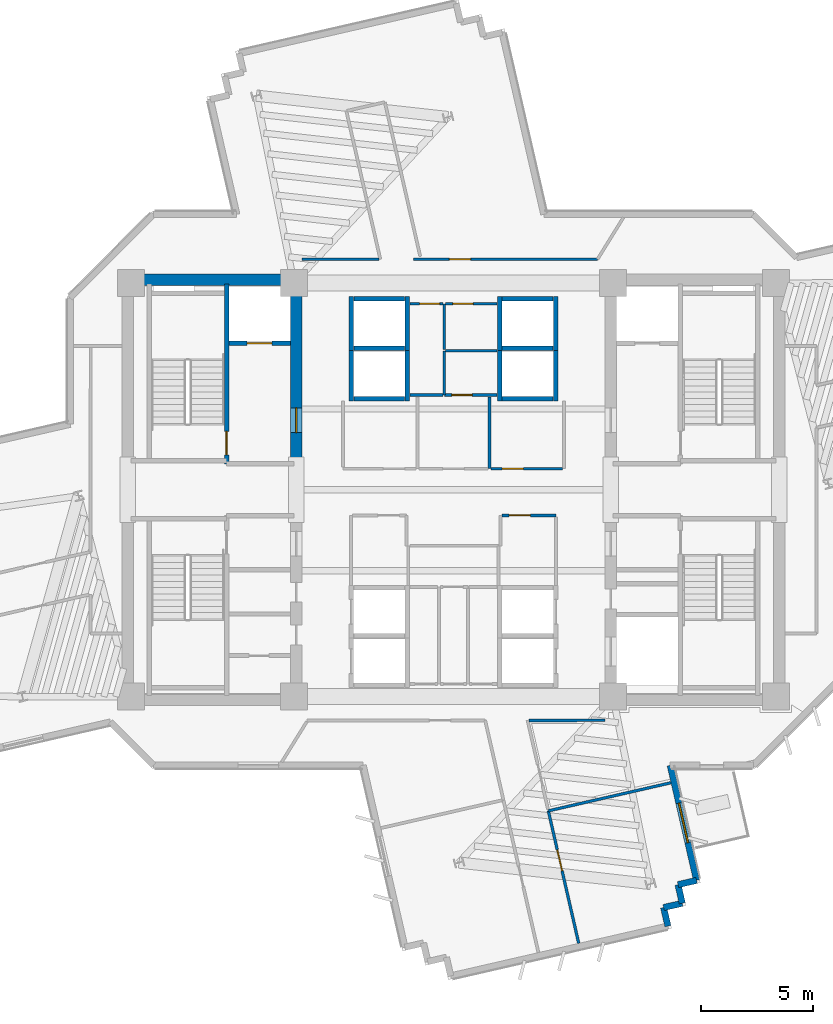
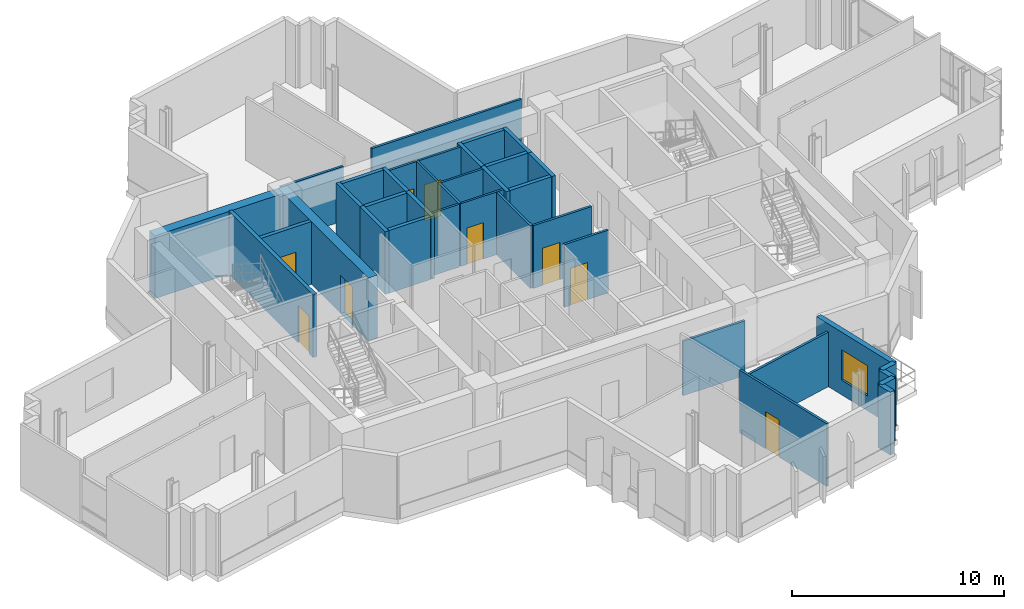
# One storey, part 8 of 13: 38 walls, 10 doors, 1 window, 11 openings.
"""IFC4 building model written with IfcOpenShell, lengths in metres."""

from ifc_helpers import new_model, si_unit, direction, frame, frame_2d, origin, place, context, subcontext, project, spatial, rectangle, extrude, source, transform, mapped, material, layer, layer_set, type_object, element, fill, save


model = new_model("IFC4")

# Units and contexts
model_context = context("Model", 3, precision=1e-05, world=origin(), true_north=direction((0.0, 1.0)))
body_context = subcontext(model_context, "Body", "Model", "MODEL_VIEW")
ifc_project = project(units=[si_unit("LENGTHUNIT", "METRE"), si_unit("AREAUNIT", "SQUARE_METRE"), si_unit("VOLUMEUNIT", "CUBIC_METRE"), si_unit("PLANEANGLEUNIT", "RADIAN"), si_unit("MASSUNIT", "GRAM", prefix="KILO")], contexts=[model_context])

# Site, building, storey
site_placement = place(None, origin())
site = spatial("IfcSite", under=ifc_project, at=site_placement, CompositionType="ELEMENT")
building_placement = place(site_placement, origin())
building = spatial("IfcBuilding", under=site, at=building_placement, Name="Zahravan Cultural Tower", CompositionType="ELEMENT")
storey_placement = place(building_placement, frame((0.0, 0.0, 174.60009765625)))
storey = spatial("IfcBuildingStorey", under=building, at=storey_placement, Name="L40", CompositionType="ELEMENT", Elevation=174.60009765625)

# Wall, opening, door
ifc_material_1 = material(Name="Concrete C60/75", Category="concrete")
ifc_layer_1 = layer(ifc_material_1, 0.5)
ifc_layer_set_1 = layer_set([ifc_layer_1], Name="Concrete C60/75")
wall_type_1 = type_object("IfcWallType", Name="CW-SHEAR-500-C60", PredefinedType="SHEAR", material=ifc_layer_set_1)
wall_1_placement = place(storey_placement, frame((29.0, 28.050048828125, 0.0), z_axis=(0.0, 0.0, 1.0), x_axis=(0.0, 1.0, 0.0)))
wall_1 = element("IfcWall", 1, at=wall_1_placement, inside=storey, type_object=wall_type_1, Name="L40 Core Shear Wall CW-W-EN-L40", PredefinedType="SHEAR", context=body_context, shape_type="SweptSolid", body=[
    extrude(rectangle(XDim=8.550048828125, YDim=0.5, at=frame_2d((4.27490234375, 0.0))), origin(), (0.0, 0.0, 1.0), 3.619873046875),
])
opening_1_placement = place(wall_1_placement, frame((1.5, 0.0, 0.0)))
opening_1 = element("IfcOpeningElement", 2, at=opening_1_placement, cuts=wall_1, Name="Opening D-L40-05", PredefinedType="OPENING", context=body_context, shape_type="SweptSolid", body=[
    extrude(rectangle(XDim=1.10009765625, YDim=2.199951171875, at=frame_2d((0.550048828125, 1.10009765625))), frame((0.0, 0.260009765625, 0.0), z_axis=(0.0, -1.0, 0.0), x_axis=(1.0, 0.0, 0.0)), (0.0, 0.0, 1.0), 0.52001953125),
])
ifc_material_2 = material(Name="Steel ASTM A572 Grade 50", Category="steel")
door_type_1 = type_object("IfcDoorType", Name="DR-LOBBY-1100", OperationType="NOTDEFINED", PredefinedType="DOOR", material=ifc_material_2)
shared_shape_1 = source(origin(), body_context, "Body", "SweptSolid", [
    extrude(rectangle(XDim=1.10009765625, YDim=2.199951171875, at=frame_2d((0.550048828125, 1.10009765625))), frame((0.0, 0.02490234375, 0.0), z_axis=(0.0, -1.0, 0.0), x_axis=(1.0, 0.0, 0.0)), (0.0, 0.0, 1.0), 0.050048828125),
])
door_1_placement = place(opening_1_placement, origin())
door_1 = element("IfcDoor", 3, at=door_1_placement, inside=storey, type_object=door_type_1, Name="L40 Door D-L40-05", OperationType="SINGLE_SWING_RIGHT", OverallHeight=2.199951171875, OverallWidth=1.10009765625, PredefinedType="DOOR", context=body_context, shape_type="MappedRepresentation", body=[
    mapped(shared_shape_1, transform((0.0, 0.0, 0.0), x_axis=(1.0, 0.0, 0.0), y_axis=(0.0, 1.0, 0.0), z_axis=(0.0, 0.0, 1.0), scale=1.0)),
])
fill(opening_1, door_1)

# Wall, opening, window
ifc_material_3 = material(Name="Precast concrete C40/50", Category="concrete")
ifc_layer_2 = layer(ifc_material_3, 0.280029296875)
ifc_layer_set_2 = layer_set([ifc_layer_2], Name="Precast concrete C40/50")
wall_type_2 = type_object("IfcWallType", Name="EW-TC-280", PredefinedType="SOLIDWALL", material=ifc_layer_set_2)
wall_2_placement = place(storey_placement, frame((45.6455078125, 14.739990234375, 0.0), z_axis=(0.0, 0.0, 1.0), x_axis=(0.223562871808, -0.974689510741, 0.0)))
wall_2 = element("IfcWall", 4, at=wall_2_placement, inside=storey, type_object=wall_type_2, Name="L40 Exterior Masonry Frame Wall 14", PredefinedType="SOLIDWALL", context=body_context, shape_type="SweptSolid", body=[
    extrude(rectangle(XDim=5.25390625, YDim=0.280029296875, at=frame_2d((2.626953125, 0.0))), origin(), (0.0, 0.0, 1.0), 3.619873046875),
])
opening_2_placement = place(wall_2_placement, frame((1.72705078125, 0.0, 0.85009765625)))
opening_2 = element("IfcOpeningElement", 5, at=opening_2_placement, cuts=wall_2, Name="Opening WN-02", PredefinedType="OPENING", context=body_context, shape_type="SweptSolid", body=[
    extrude(rectangle(XDim=1.800048828125, YDim=1.75, at=frame_2d((0.89990234375, 0.875))), frame((0.0, 0.14990234375, 0.0), z_axis=(0.0, -1.0, 0.0), x_axis=(1.0, 0.0, 0.0)), (0.0, 0.0, 1.0), 0.300048828125),
])
ifc_material_4 = material(Name="Low-E solar-control double glazing", Category="glass")
window_type = type_object("IfcWindowType", Name="WN-REC-1800X1750", PartitioningType="DOUBLE_PANEL_VERTICAL", PredefinedType="WINDOW", material=ifc_material_4)
shared_shape_2 = source(origin(), body_context, "Body", "SweptSolid", [
    extrude(rectangle(XDim=1.800048828125, YDim=1.75, at=frame_2d((0.89990234375, 0.875))), frame((0.0, 0.030029296875, 0.0), z_axis=(0.0, -1.0, 0.0), x_axis=(1.0, 0.0, 0.0)), (0.0, 0.0, 1.0), 0.06005859375),
])
window_placement = place(opening_2_placement, origin())
window = element("IfcWindow", 6, at=window_placement, inside=storey, type_object=window_type, Name="L40 Recessed Solar Window 04", OverallHeight=1.75, OverallWidth=1.800048828125, PartitioningType="DOUBLE_PANEL_VERTICAL", PredefinedType="WINDOW", context=body_context, shape_type="MappedRepresentation", body=[
    mapped(shared_shape_2, transform((0.0, 0.0, 0.0), x_axis=(1.0, 0.0, 0.0), y_axis=(0.0, 1.0, 0.0), z_axis=(0.0, 0.0, 1.0), scale=1.0)),
])
fill(opening_2, window)

# Wall, opening, door
ifc_material_5 = material(Name="Gypsum plasterboard partition")
ifc_layer_3 = layer(ifc_material_5, 0.125)
ifc_layer_set_3 = layer_set([ifc_layer_3], Name="Gypsum plasterboard partition")
wall_type_3 = type_object("IfcWallType", Name="W-PART-125", PredefinedType="PARTITIONING", material=ifc_layer_set_3)
wall_3_placement = place(storey_placement, frame((38.157470703125, 25.860107421875, 0.0), z_axis=(0.0, 0.0, 1.0), x_axis=(1.0, 0.0, 0.0)))
wall_3 = element("IfcWall", 7, at=wall_3_placement, inside=storey, type_object=wall_type_3, Name="L40 Interior Wall 079", PredefinedType="PARTITIONING", context=body_context, shape_type="SweptSolid", body=[
    extrude(rectangle(XDim=2.402587890625, YDim=0.125, at=frame_2d((1.201171875, 0.0))), origin(), (0.0, 0.0, 1.0), 3.619873046875),
])
opening_3_placement = place(wall_3_placement, frame((0.319580078125, 0.0, 0.0)))
opening_3 = element("IfcOpeningElement", 8, at=opening_3_placement, cuts=wall_3, Name="Opening D-L40-14", PredefinedType="OPENING", context=body_context, shape_type="SweptSolid", body=[
    extrude(rectangle(XDim=0.949951171875, YDim=2.14990234375, at=frame_2d((0.47509765625, 1.074951171875))), frame((0.0, 0.072509765625, 0.0), z_axis=(0.0, -1.0, 0.0), x_axis=(1.0, 0.0, 0.0)), (0.0, 0.0, 1.0), 0.14501953125),
])
ifc_material_6 = material(Name="Anodised bronze-aluminium mullion", Category="aluminium")
door_type_2 = type_object("IfcDoorType", Name="DR-ROOM-950", OperationType="NOTDEFINED", PredefinedType="DOOR", material=ifc_material_6)
shared_shape_3 = source(origin(), body_context, "Body", "SweptSolid", [
    extrude(rectangle(XDim=0.949951171875, YDim=2.14990234375, at=frame_2d((0.47509765625, 1.074951171875))), frame((0.0, 0.02490234375, 0.0), z_axis=(0.0, -1.0, 0.0), x_axis=(1.0, 0.0, 0.0)), (0.0, 0.0, 1.0), 0.050048828125),
])
door_2_placement = place(opening_3_placement, origin())
door_2 = element("IfcDoor", 9, at=door_2_placement, inside=storey, type_object=door_type_2, Name="L40 Door D-L40-14", OperationType="SINGLE_SWING_LEFT", OverallHeight=2.14990234375, OverallWidth=0.949951171875, PredefinedType="DOOR", context=body_context, shape_type="MappedRepresentation", body=[
    mapped(shared_shape_3, transform((0.0, 0.0, 0.0), x_axis=(1.0, 0.0, 0.0), y_axis=(0.0, 1.0, 0.0), z_axis=(0.0, 0.0, 1.0), scale=1.0)),
])
fill(opening_3, door_2)

wall_4_placement = place(storey_placement, frame((40.8525390625, 27.93994140625, 0.0), z_axis=(0.0, 0.0, 1.0), x_axis=(-1.0, 0.0, 0.0)))
wall_4 = element("IfcWall", 10, at=wall_4_placement, inside=storey, type_object=wall_type_3, Name="L40 Interior Wall 087", PredefinedType="PARTITIONING", context=body_context, shape_type="SweptSolid", body=[
    extrude(rectangle(XDim=3.18505859375, YDim=0.125, at=frame_2d((1.592529296875, 0.0))), origin(), (0.0, 0.0, 1.0), 3.619873046875),
])
opening_4_placement = place(wall_4_placement, frame((1.743408203125, 0.0, 0.0)))
opening_4 = element("IfcOpeningElement", 11, at=opening_4_placement, cuts=wall_4, Name="Opening D-L40-19", PredefinedType="OPENING", context=body_context, shape_type="SweptSolid", body=[
    extrude(rectangle(XDim=0.949951171875, YDim=2.14990234375, at=frame_2d((0.47509765625, 1.074951171875))), frame((0.0, 0.072509765625, 0.0), z_axis=(0.0, -1.0, 0.0), x_axis=(1.0, 0.0, 0.0)), (0.0, 0.0, 1.0), 0.14501953125),
])
door_3_placement = place(opening_4_placement, origin())
door_3 = element("IfcDoor", 12, at=door_3_placement, inside=storey, type_object=door_type_2, Name="L40 Door D-L40-19", OperationType="SINGLE_SWING_RIGHT", OverallHeight=2.14990234375, OverallWidth=0.949951171875, PredefinedType="DOOR", context=body_context, shape_type="MappedRepresentation", body=[
    mapped(shared_shape_3, transform((0.0, 0.0, 0.0), x_axis=(1.0, 0.0, 0.0), y_axis=(0.0, 1.0, 0.0), z_axis=(0.0, 0.0, 1.0), scale=1.0)),
])
fill(opening_4, door_3)

wall_5_placement = place(storey_placement, frame((41.572998046875, 6.8203125, 0.0), z_axis=(0.0, 0.0, 1.0), x_axis=(-0.223588000718, 0.974683746625, 0.0)))
wall_5 = element("IfcWall", 13, at=wall_5_placement, inside=storey, type_object=wall_type_3, Name="L40 Interior Wall 093", PredefinedType="PARTITIONING", context=body_context, shape_type="SweptSolid", body=[
    extrude(rectangle(XDim=6.044921875, YDim=0.125, at=frame_2d((3.0224609375, 0.0))), origin(), (0.0, 0.0, 1.0), 3.619873046875),
])
opening_5_placement = place(wall_5_placement, frame((3.311767578125, 0.0, 0.0)))
opening_5 = element("IfcOpeningElement", 14, at=opening_5_placement, cuts=wall_5, Name="Opening D-L40-31", PredefinedType="OPENING", context=body_context, shape_type="SweptSolid", body=[
    extrude(rectangle(XDim=0.949951171875, YDim=2.14990234375, at=frame_2d((0.47509765625, 1.074951171875))), frame((0.0, 0.072509765625, 0.0), z_axis=(0.0, -1.0, 0.0), x_axis=(1.0, 0.0, 0.0)), (0.0, 0.0, 1.0), 0.14501953125),
])
door_4_placement = place(opening_5_placement, origin())
door_4 = element("IfcDoor", 15, at=door_4_placement, inside=storey, type_object=door_type_2, Name="L40 Door D-L40-31", OperationType="SINGLE_SWING_RIGHT", OverallHeight=2.14990234375, OverallWidth=0.949951171875, PredefinedType="DOOR", context=body_context, shape_type="MappedRepresentation", body=[
    mapped(shared_shape_3, transform((0.0, 0.0, 0.0), x_axis=(1.0, 0.0, 0.0), y_axis=(0.0, 1.0, 0.0), z_axis=(0.0, 0.0, 1.0), scale=1.0)),
])
fill(opening_5, door_4)

wall_6_placement = place(storey_placement, frame((42.409423828125, 37.260009765625, 0.0), z_axis=(0.0, 0.0, 1.0), x_axis=(-1.0, 0.0, 0.0)))
wall_6 = element("IfcWall", 16, at=wall_6_placement, inside=storey, type_object=wall_type_3, Name="L40 Interior Wall 114", PredefinedType="PARTITIONING", context=body_context, shape_type="SweptSolid", body=[
    extrude(rectangle(XDim=8.185546875, YDim=0.125, at=frame_2d((4.0927734375, 0.0))), origin(), (0.0, 0.0, 1.0), 3.619873046875),
])
opening_6_placement = place(wall_6_placement, frame((5.643798828125, 0.0, 0.0)))
opening_6 = element("IfcOpeningElement", 17, at=opening_6_placement, cuts=wall_6, Name="Opening D-L40-25", PredefinedType="OPENING", context=body_context, shape_type="SweptSolid", body=[
    extrude(rectangle(XDim=0.949951171875, YDim=2.14990234375, at=frame_2d((0.47509765625, 1.074951171875))), frame((0.0, 0.072509765625, 0.0), z_axis=(0.0, -1.0, 0.0), x_axis=(1.0, 0.0, 0.0)), (0.0, 0.0, 1.0), 0.14501953125),
])
door_5_placement = place(opening_6_placement, origin())
door_5 = element("IfcDoor", 18, at=door_5_placement, inside=storey, type_object=door_type_2, Name="L40 Door D-L40-25", OperationType="SINGLE_SWING_RIGHT", OverallHeight=2.14990234375, OverallWidth=0.949951171875, PredefinedType="DOOR", context=body_context, shape_type="MappedRepresentation", body=[
    mapped(shared_shape_3, transform((0.0, 0.0, 0.0), x_axis=(1.0, 0.0, 0.0), y_axis=(0.0, 1.0, 0.0), z_axis=(0.0, 0.0, 1.0), scale=1.0)),
])
fill(opening_6, door_5)

ifc_material_7 = material(Name="Concrete C45/55", Category="concrete")
ifc_layer_4 = layer(ifc_material_7, 0.199951171875)
ifc_layer_set_4 = layer_set([ifc_layer_4], Name="Concrete C45/55")
wall_type_4 = type_object("IfcWallType", Name="W-SHAFT-200", PredefinedType="SOLIDWALL", material=ifc_layer_set_4)
wall_7_placement = place(storey_placement, frame((25.89990234375, 28.14990234375, 0.0), z_axis=(0.0, 0.0, 1.0), x_axis=(0.0, 1.0, 0.0)))
wall_7 = element("IfcWall", 19, at=wall_7_placement, inside=storey, type_object=wall_type_4, Name="L40 Interior Wall 006", PredefinedType="SOLIDWALL", context=body_context, shape_type="SweptSolid", body=[
    extrude(rectangle(XDim=8.0, YDim=0.199951171875, at=frame_2d((4.0, 0.0))), origin(), (0.0, 0.0, 1.0), 3.619873046875),
])
opening_7_placement = place(wall_7_placement, frame((0.39990234375, 0.0, 0.0)))
opening_7 = element("IfcOpeningElement", 20, at=opening_7_placement, cuts=wall_7, Name="Opening D-L40-01", PredefinedType="OPENING", context=body_context, shape_type="SweptSolid", body=[
    extrude(rectangle(XDim=1.050048828125, YDim=2.14990234375, at=frame_2d((0.52490234375, 1.074951171875))), frame((0.0, 0.10986328125, 0.0), z_axis=(0.0, -1.0, 0.0), x_axis=(1.0, 0.0, 0.0)), (0.0, 0.0, 1.0), 0.219970703125),
])
door_type_3 = type_object("IfcDoorType", Name="DR-STAIR-1050", OperationType="NOTDEFINED", PredefinedType="DOOR", material=ifc_material_2)
shared_shape_4 = source(origin(), body_context, "Body", "SweptSolid", [
    extrude(rectangle(XDim=1.050048828125, YDim=2.14990234375, at=frame_2d((0.52490234375, 1.074951171875))), frame((0.0, 0.02490234375, 0.0), z_axis=(0.0, -1.0, 0.0), x_axis=(1.0, 0.0, 0.0)), (0.0, 0.0, 1.0), 0.050048828125),
])
door_6_placement = place(opening_7_placement, origin())
door_6 = element("IfcDoor", 21, at=door_6_placement, inside=storey, type_object=door_type_3, Name="L40 Door D-L40-01", OperationType="SINGLE_SWING_RIGHT", OverallHeight=2.14990234375, OverallWidth=1.050048828125, PredefinedType="DOOR", context=body_context, shape_type="MappedRepresentation", body=[
    mapped(shared_shape_4, transform((0.0, 0.0, 0.0), x_axis=(1.0, 0.0, 0.0), y_axis=(0.0, 1.0, 0.0), z_axis=(0.0, 0.0, 1.0), scale=1.0)),
])
fill(opening_7, door_6)

wall_8_placement = place(storey_placement, frame((26.0, 33.52001953125, 0.0), z_axis=(0.0, 0.0, 1.0), x_axis=(1.0, 0.0, 0.0)))
wall_8 = element("IfcWall", 22, at=wall_8_placement, inside=storey, type_object=wall_type_4, Name="L40 Interior Wall 021", PredefinedType="SOLIDWALL", context=body_context, shape_type="SweptSolid", body=[
    extrude(rectangle(XDim=2.75, YDim=0.199951171875, at=frame_2d((1.375, 0.0))), origin(), (0.0, 0.0, 1.0), 3.619873046875),
])
opening_8_placement = place(wall_8_placement, frame((0.820068359375, 0.0, 0.0)))
opening_8 = element("IfcOpeningElement", 23, at=opening_8_placement, cuts=wall_8, Name="Opening LD-L40-01", PredefinedType="OPENING", context=body_context, shape_type="SweptSolid", body=[
    extrude(rectangle(XDim=1.10009765625, YDim=2.14990234375, at=frame_2d((0.550048828125, 1.074951171875))), frame((0.0, 0.10986328125, 0.0), z_axis=(0.0, -1.0, 0.0), x_axis=(1.0, 0.0, 0.0)), (0.0, 0.0, 1.0), 0.219970703125),
])
door_type_4 = type_object("IfcDoorType", Name="DR-LIFT-1100", OperationType="DOUBLE_DOOR_SLIDING", PredefinedType="DOOR", material=ifc_material_2)
shared_shape_5 = source(origin(), body_context, "Body", "SweptSolid", [
    extrude(rectangle(XDim=1.10009765625, YDim=2.14990234375, at=frame_2d((0.550048828125, 1.074951171875))), frame((0.0, 0.02490234375, 0.0), z_axis=(0.0, -1.0, 0.0), x_axis=(1.0, 0.0, 0.0)), (0.0, 0.0, 1.0), 0.050048828125),
])
door_7_placement = place(opening_8_placement, origin())
door_7 = element("IfcDoor", 24, at=door_7_placement, inside=storey, type_object=door_type_4, Name="L40 Door LD-L40-01", OperationType="DOUBLE_DOOR_SLIDING", OverallHeight=2.14990234375, OverallWidth=1.10009765625, PredefinedType="DOOR", context=body_context, shape_type="MappedRepresentation", body=[
    mapped(shared_shape_5, transform((0.0, 0.0, 0.0), x_axis=(1.0, 0.0, 0.0), y_axis=(0.0, 1.0, 0.0), z_axis=(0.0, 0.0, 1.0), scale=1.0)),
])
fill(opening_8, door_7)

ifc_layer_5 = layer(ifc_material_5, 0.114990234375)
ifc_layer_set_5 = layer_set([ifc_layer_5], Name="Gypsum plasterboard partition")
wall_type_5 = type_object("IfcWallType", Name="W-WC-115", PredefinedType="PARTITIONING", material=ifc_layer_set_5)
wall_9_placement = place(storey_placement, frame((37.945068359375, 31.219970703125, 0.0), z_axis=(0.0, 0.0, 1.0), x_axis=(-1.0, 0.0, 0.0)))
wall_9 = element("IfcWall", 25, at=wall_9_placement, inside=storey, type_object=wall_type_5, Name="L40 Interior Wall 057", PredefinedType="PARTITIONING", context=body_context, shape_type="SweptSolid", body=[
    extrude(rectangle(XDim=2.35498046875, YDim=0.114990234375, at=frame_2d((1.177490234375, 0.0))), origin(), (0.0, 0.0, 1.0), 3.619873046875),
])
opening_9_placement = place(wall_9_placement, frame((1.120849609375, 0.0, 0.0)))
opening_9 = element("IfcOpeningElement", 26, at=opening_9_placement, cuts=wall_9, Name="Opening D-L40-33", PredefinedType="OPENING", context=body_context, shape_type="SweptSolid", body=[
    extrude(rectangle(XDim=0.89990234375, YDim=2.10009765625, at=frame_2d((0.449951171875, 1.050048828125))), frame((0.0, 0.0673828125, 0.0), z_axis=(0.0, -1.0, 0.0), x_axis=(1.0, 0.0, 0.0)), (0.0, 0.0, 1.0), 0.135009765625),
])
door_type_5 = type_object("IfcDoorType", Name="DR-WC-900", OperationType="NOTDEFINED", PredefinedType="DOOR", material=ifc_material_6)
shared_shape_6 = source(origin(), body_context, "Body", "SweptSolid", [
    extrude(rectangle(XDim=0.89990234375, YDim=2.10009765625, at=frame_2d((0.449951171875, 1.050048828125))), frame((0.0, 0.02490234375, 0.0), z_axis=(0.0, -1.0, 0.0), x_axis=(1.0, 0.0, 0.0)), (0.0, 0.0, 1.0), 0.050048828125),
])
door_8_placement = place(opening_9_placement, origin())
door_8 = element("IfcDoor", 27, at=door_8_placement, inside=storey, type_object=door_type_5, Name="L40 Door D-L40-33", OperationType="SINGLE_SWING_RIGHT", OverallHeight=2.10009765625, OverallWidth=0.89990234375, PredefinedType="DOOR", context=body_context, shape_type="MappedRepresentation", body=[
    mapped(shared_shape_6, transform((0.0, 0.0, 0.0), x_axis=(1.0, 0.0, 0.0), y_axis=(0.0, 1.0, 0.0), z_axis=(0.0, 0.0, 1.0), scale=1.0)),
])
fill(opening_9, door_8)

wall_10_placement = place(storey_placement, frame((35.652587890625, 35.280029296875, 0.0), z_axis=(0.0, 0.0, 1.0), x_axis=(1.0, 0.0, 0.0)))
wall_10 = element("IfcWall", 28, at=wall_10_placement, inside=storey, type_object=wall_type_5, Name="L40 Interior Wall 061", PredefinedType="PARTITIONING", context=body_context, shape_type="SweptSolid", body=[
    extrude(rectangle(XDim=2.29248046875, YDim=0.114990234375, at=frame_2d((1.146240234375, 0.0))), origin(), (0.0, 0.0, 1.0), 3.619873046875),
])
opening_10_placement = place(wall_10_placement, frame((0.3203125, 0.0, 0.0)))
opening_10 = element("IfcOpeningElement", 29, at=opening_10_placement, cuts=wall_10, Name="Opening D-L40-16", PredefinedType="OPENING", context=body_context, shape_type="SweptSolid", body=[
    extrude(rectangle(XDim=0.89990234375, YDim=2.10009765625, at=frame_2d((0.449951171875, 1.050048828125))), frame((0.0, 0.0673828125, 0.0), z_axis=(0.0, -1.0, 0.0), x_axis=(1.0, 0.0, 0.0)), (0.0, 0.0, 1.0), 0.135009765625),
])
door_9_placement = place(opening_10_placement, origin())
door_9 = element("IfcDoor", 30, at=door_9_placement, inside=storey, type_object=door_type_5, Name="L40 Door D-L40-16", OperationType="SINGLE_SWING_LEFT", OverallHeight=2.10009765625, OverallWidth=0.89990234375, PredefinedType="DOOR", context=body_context, shape_type="MappedRepresentation", body=[
    mapped(shared_shape_6, transform((0.0, 0.0, 0.0), x_axis=(1.0, 0.0, 0.0), y_axis=(0.0, 1.0, 0.0), z_axis=(0.0, 0.0, 1.0), scale=1.0)),
])
fill(opening_10, door_9)

wall_11_placement = place(storey_placement, frame((34.054931640625, 35.280029296875, 0.0), z_axis=(0.0, 0.0, 1.0), x_axis=(1.0, 0.0, 0.0)))
wall_11 = element("IfcWall", 31, at=wall_11_placement, inside=storey, type_object=wall_type_5, Name="L40 Interior Wall 071", PredefinedType="PARTITIONING", context=body_context, shape_type="SweptSolid", body=[
    extrude(rectangle(XDim=1.47265625, YDim=0.114990234375, at=frame_2d((0.736328125, 0.0))), origin(), (0.0, 0.0, 1.0), 3.619873046875),
])
opening_11_placement = place(wall_11_placement, frame((0.4326171875, 0.0, 0.0)))
opening_11 = element("IfcOpeningElement", 32, at=opening_11_placement, cuts=wall_11, Name="Opening D-L40-15", PredefinedType="OPENING", context=body_context, shape_type="SweptSolid", body=[
    extrude(rectangle(XDim=0.89990234375, YDim=2.10009765625, at=frame_2d((0.449951171875, 1.050048828125))), frame((0.0, 0.0673828125, 0.0), z_axis=(0.0, -1.0, 0.0), x_axis=(1.0, 0.0, 0.0)), (0.0, 0.0, 1.0), 0.135009765625),
])
door_10_placement = place(opening_11_placement, origin())
door_10 = element("IfcDoor", 33, at=door_10_placement, inside=storey, type_object=door_type_5, Name="L40 Door D-L40-15", OperationType="SINGLE_SWING_RIGHT", OverallHeight=2.10009765625, OverallWidth=0.89990234375, PredefinedType="DOOR", context=body_context, shape_type="MappedRepresentation", body=[
    mapped(shared_shape_6, transform((0.0, 0.0, 0.0), x_axis=(1.0, 0.0, 0.0), y_axis=(0.0, 1.0, 0.0), z_axis=(0.0, 0.0, 1.0), scale=1.0)),
])
fill(opening_11, door_10)

# Walls
shared_shape_7 = source(origin(), body_context, "Body", "SweptSolid", [
    extrude(rectangle(XDim=7.0, YDim=0.5, at=frame_2d((3.5, 0.0))), origin(), (0.0, 0.0, 1.0), 3.619873046875),
])
wall_12_placement = place(storey_placement, frame((21.75, 36.35009765625, 0.0), z_axis=(0.0, 0.0, 1.0), x_axis=(1.0, 0.0, 0.0)))
element("IfcWall", 34, at=wall_12_placement, inside=storey, type_object=wall_type_1, Name="L40 Core Shear Wall CW-W-N-L40", PredefinedType="SHEAR", context=body_context, shape_type="MappedRepresentation", body=[
    mapped(shared_shape_7, transform((0.0, 0.0, 0.0), x_axis=(1.0, 0.0, 0.0), y_axis=(0.0, 1.0, 0.0), z_axis=(0.0, 0.0, 1.0), scale=1.0)),
])
shared_shape_8 = source(origin(), body_context, "Body", "SweptSolid", [
    extrude(rectangle(XDim=0.85009765625, YDim=0.280029296875, at=frame_2d((0.425048828125, 0.0))), origin(), (0.0, 0.0, 1.0), 3.619873046875),
])
for number, where, z_axis, x_axis, name in (
    (35, (45.99169921875, 9.42919921875, 0.0), (0.0, 0.0, 1.0), (0.223433001597, -0.974719289743, 0.0), "L40 Exterior Masonry Frame Wall 16"),
    (36, (46.181640625, 8.6005859375, 0.0), (0.0, 0.0, 1.0), (-0.974719289743, -0.223433001597, 0.0), "L40 Exterior Masonry Frame Wall 17"),
):
    element("IfcWall", number, at=place(storey_placement, frame(where, z_axis=z_axis, x_axis=x_axis)), inside=storey, type_object=wall_type_2, Name=name, PredefinedType="SOLIDWALL", context=body_context, shape_type="MappedRepresentation", body=[
        mapped(shared_shape_8, transform((0.0, 0.0, 0.0), x_axis=(1.0, 0.0, 0.0), y_axis=(0.0, 1.0, 0.0), z_axis=(0.0, 0.0, 1.0), scale=1.0)),
    ])
shared_shape_9 = source(origin(), body_context, "Body", "SweptSolid", [
    extrude(rectangle(XDim=0.849853515625, YDim=0.280029296875, at=frame_2d((0.4248046875, 0.0))), origin(), (0.0, 0.0, 1.0), 3.619873046875),
])
for number, where, z_axis, x_axis, name in (
    (37, (46.820068359375, 9.619140625, 0.0), (0.0, 0.0, 1.0), (-0.974704946586, -0.223495563939, 0.0), "L40 Exterior Masonry Frame Wall 15"),
    (38, (45.35302734375, 8.41064453125, 0.0), (0.0, 0.0, 1.0), (0.223768457828, -0.974642333003, 0.0), "L40 Exterior Masonry Frame Wall 18"),
):
    element("IfcWall", number, at=place(storey_placement, frame(where, z_axis=z_axis, x_axis=x_axis)), inside=storey, type_object=wall_type_2, Name=name, PredefinedType="SOLIDWALL", context=body_context, shape_type="MappedRepresentation", body=[
        mapped(shared_shape_9, transform((0.0, 0.0, 0.0), x_axis=(1.0, 0.0, 0.0), y_axis=(0.0, 1.0, 0.0), z_axis=(0.0, 0.0, 1.0), scale=1.0)),
    ])
shared_shape_10 = source(origin(), body_context, "Body", "SweptSolid", [
    extrude(rectangle(XDim=2.400146484375, YDim=0.199951171875, at=frame_2d((1.2001953125, 0.0))), origin(), (0.0, 0.0, 1.0), 3.619873046875),
])
for number, where, z_axis, x_axis, name in (
    (39, (31.449951171875, 33.199951171875, 0.0), (0.0, 0.0, 1.0), (0.0, 1.0, 0.0), "L40 Interior Wall 029"),
    (40, (33.949951171875, 33.199951171875, 0.0), (0.0, 0.0, 1.0), (0.0, 1.0, 0.0), "L40 Interior Wall 030"),
    (41, (31.449951171875, 30.949951171875, 0.0), (0.0, 0.0, 1.0), (0.0, 1.0, 0.0), "L40 Interior Wall 033"),
    (42, (33.949951171875, 30.949951171875, 0.0), (0.0, 0.0, 1.0), (0.0, 1.0, 0.0), "L40 Interior Wall 034"),
    (43, (38.050048828125, 33.199951171875, 0.0), (0.0, 0.0, 1.0), (0.0, 1.0, 0.0), "L40 Interior Wall 036"),
    (44, (40.550048828125, 33.199951171875, 0.0), (0.0, 0.0, 1.0), (0.0, 1.0, 0.0), "L40 Interior Wall 037"),
    (45, (38.050048828125, 30.949951171875, 0.0), (0.0, 0.0, 1.0), (0.0, 1.0, 0.0), "L40 Interior Wall 040"),
    (46, (40.550048828125, 30.949951171875, 0.0), (0.0, 0.0, 1.0), (0.0, 1.0, 0.0), "L40 Interior Wall 041"),
):
    element("IfcWall", number, at=place(storey_placement, frame(where, z_axis=z_axis, x_axis=x_axis)), inside=storey, type_object=wall_type_4, Name=name, PredefinedType="SOLIDWALL", context=body_context, shape_type="MappedRepresentation", body=[
        mapped(shared_shape_10, transform((0.0, 0.0, 0.0), x_axis=(1.0, 0.0, 0.0), y_axis=(0.0, 1.0, 0.0), z_axis=(0.0, 0.0, 1.0), scale=1.0)),
    ])
shared_shape_11 = source(origin(), body_context, "Body", "SweptSolid", [
    extrude(rectangle(XDim=2.260009765625, YDim=0.199951171875, at=frame_2d((1.1298828125, 0.0))), origin(), (0.0, 0.0, 1.0), 3.619873046875),
])
for number, where, z_axis, x_axis, name in (
    (47, (31.570068359375, 33.300048828125, 0.0), (0.0, 0.0, 1.0), (1.0, 0.0, 0.0), "L40 Interior Wall 031"),
    (48, (31.570068359375, 35.5, 0.0), (0.0, 0.0, 1.0), (1.0, 0.0, 0.0), "L40 Interior Wall 032"),
    (49, (31.570068359375, 31.050048828125, 0.0), (0.0, 0.0, 1.0), (1.0, 0.0, 0.0), "L40 Interior Wall 035"),
    (50, (38.169921875, 33.300048828125, 0.0), (0.0, 0.0, 1.0), (1.0, 0.0, 0.0), "L40 Interior Wall 038"),
    (51, (38.169921875, 35.5, 0.0), (0.0, 0.0, 1.0), (1.0, 0.0, 0.0), "L40 Interior Wall 039"),
    (52, (38.169921875, 31.050048828125, 0.0), (0.0, 0.0, 1.0), (1.0, 0.0, 0.0), "L40 Interior Wall 042"),
):
    element("IfcWall", number, at=place(storey_placement, frame(where, z_axis=z_axis, x_axis=x_axis)), inside=storey, type_object=wall_type_4, Name=name, PredefinedType="SOLIDWALL", context=body_context, shape_type="MappedRepresentation", body=[
        mapped(shared_shape_11, transform((0.0, 0.0, 0.0), x_axis=(1.0, 0.0, 0.0), y_axis=(0.0, 1.0, 0.0), z_axis=(0.0, 0.0, 1.0), scale=1.0)),
    ])
shared_shape_12 = source(origin(), body_context, "Body", "SweptSolid", [
    extrude(rectangle(XDim=1.9599609375, YDim=0.114990234375, at=frame_2d((0.97998046875, 0.0))), origin(), (0.0, 0.0, 1.0), 3.619873046875),
])
wall_13_placement = place(storey_placement, frame((35.590087890625, 31.219970703125, 0.0), z_axis=(0.0, 0.0, 1.0), x_axis=(0.0, 1.0, 0.0)))
element("IfcWall", 53, at=wall_13_placement, inside=storey, type_object=wall_type_5, Name="L40 Interior Wall 058", PredefinedType="PARTITIONING", context=body_context, shape_type="MappedRepresentation", body=[
    mapped(shared_shape_12, transform((0.0, 0.0, 0.0), x_axis=(1.0, 0.0, 0.0), y_axis=(0.0, 1.0, 0.0), z_axis=(0.0, 0.0, 1.0), scale=1.0)),
])
shared_shape_13 = source(origin(), body_context, "Body", "SweptSolid", [
    extrude(rectangle(XDim=2.29248046875, YDim=0.114990234375, at=frame_2d((1.146240234375, 0.0))), origin(), (0.0, 0.0, 1.0), 3.619873046875),
])
wall_14_placement = place(storey_placement, frame((35.652587890625, 33.179931640625, 0.0), z_axis=(0.0, 0.0, 1.0), x_axis=(1.0, 0.0, 0.0)))
element("IfcWall", 54, at=wall_14_placement, inside=storey, type_object=wall_type_5, Name="L40 Interior Wall 059", PredefinedType="PARTITIONING", context=body_context, shape_type="MappedRepresentation", body=[
    mapped(shared_shape_13, transform((0.0, 0.0, 0.0), x_axis=(1.0, 0.0, 0.0), y_axis=(0.0, 1.0, 0.0), z_axis=(0.0, 0.0, 1.0), scale=1.0)),
])
shared_shape_14 = source(origin(), body_context, "Body", "SweptSolid", [
    extrude(rectangle(XDim=2.0400390625, YDim=0.114990234375, at=frame_2d((1.02001953125, 0.0))), origin(), (0.0, 0.0, 1.0), 3.619873046875),
])
wall_15_placement = place(storey_placement, frame((35.590087890625, 33.239990234375, 0.0), z_axis=(0.0, 0.0, 1.0), x_axis=(0.0, 1.0, 0.0)))
element("IfcWall", 55, at=wall_15_placement, inside=storey, type_object=wall_type_5, Name="L40 Interior Wall 060", PredefinedType="PARTITIONING", context=body_context, shape_type="MappedRepresentation", body=[
    mapped(shared_shape_14, transform((0.0, 0.0, 0.0), x_axis=(1.0, 0.0, 0.0), y_axis=(0.0, 1.0, 0.0), z_axis=(0.0, 0.0, 1.0), scale=1.0)),
])
shared_shape_15 = source(origin(), body_context, "Body", "SweptSolid", [
    extrude(rectangle(XDim=1.47265625, YDim=0.114990234375, at=frame_2d((0.736328125, 0.0))), origin(), (0.0, 0.0, 1.0), 3.619873046875),
])
wall_16_placement = place(storey_placement, frame((35.527587890625, 31.219970703125, 0.0), z_axis=(0.0, 0.0, 1.0), x_axis=(-1.0, 0.0, 0.0)))
element("IfcWall", 56, at=wall_16_placement, inside=storey, type_object=wall_type_5, Name="L40 Interior Wall 070", PredefinedType="PARTITIONING", context=body_context, shape_type="MappedRepresentation", body=[
    mapped(shared_shape_15, transform((0.0, 0.0, 0.0), x_axis=(1.0, 0.0, 0.0), y_axis=(0.0, 1.0, 0.0), z_axis=(0.0, 0.0, 1.0), scale=1.0)),
])
shared_shape_16 = source(origin(), body_context, "Body", "SweptSolid", [
    extrude(rectangle(XDim=3.199951171875, YDim=0.125, at=frame_2d((1.60009765625, 0.0))), origin(), (0.0, 0.0, 1.0), 3.619873046875),
])
wall_17_placement = place(storey_placement, frame((37.60009765625, 31.139892578125, 0.0), z_axis=(0.0, 0.0, 1.0), x_axis=(0.0, -1.0, 0.0)))
element("IfcWall", 57, at=wall_17_placement, inside=storey, type_object=wall_type_3, Name="L40 Interior Wall 082", PredefinedType="PARTITIONING", context=body_context, shape_type="MappedRepresentation", body=[
    mapped(shared_shape_16, transform((0.0, 0.0, 0.0), x_axis=(1.0, 0.0, 0.0), y_axis=(0.0, 1.0, 0.0), z_axis=(0.0, 0.0, 1.0), scale=1.0)),
])
shared_shape_17 = source(origin(), body_context, "Body", "SweptSolid", [
    extrude(rectangle(XDim=5.594970703125, YDim=0.125, at=frame_2d((2.79736328125, 0.0))), origin(), (0.0, 0.0, 1.0), 3.14892578125),
])
wall_18_placement = place(storey_placement, frame((40.221435546875, 12.712158203125, 0.0), z_axis=(0.0, 0.0, 1.0), x_axis=(0.974683801791, 0.223587760235, 0.0)))
element("IfcWall", 58, at=wall_18_placement, inside=storey, type_object=wall_type_3, Name="L40 Interior Wall 092", PredefinedType="PARTITIONING", context=body_context, shape_type="MappedRepresentation", body=[
    mapped(shared_shape_17, transform((0.0, 0.0, 0.0), x_axis=(1.0, 0.0, 0.0), y_axis=(0.0, 1.0, 0.0), z_axis=(0.0, 0.0, 1.0), scale=1.0)),
])
shared_shape_18 = source(origin(), body_context, "Body", "SweptSolid", [
    extrude(rectangle(XDim=3.3798828125, YDim=0.125, at=frame_2d((1.68994140625, 0.0))), origin(), (0.0, 0.0, 1.0), 3.14892578125),
])
wall_19_placement = place(storey_placement, frame((39.36669921875, 16.739990234375, 0.0), z_axis=(0.0, 0.0, 1.0), x_axis=(0.999999934779, 0.000361167269, 0.0)))
element("IfcWall", 59, at=wall_19_placement, inside=storey, type_object=wall_type_3, Name="L40 Interior Wall 095", PredefinedType="PARTITIONING", context=body_context, shape_type="MappedRepresentation", body=[
    mapped(shared_shape_18, transform((0.0, 0.0, 0.0), x_axis=(1.0, 0.0, 0.0), y_axis=(0.0, 1.0, 0.0), z_axis=(0.0, 0.0, 1.0), scale=1.0)),
])
shared_shape_19 = source(origin(), body_context, "Body", "SweptSolid", [
    extrude(rectangle(XDim=3.41943359375, YDim=0.125, at=frame_2d((1.709716796875, 0.0))), origin(), (0.0, 0.0, 1.0), 3.14892578125),
])
wall_20_placement = place(storey_placement, frame((32.67431640625, 37.260009765625, 0.0), z_axis=(0.0, 0.0, 1.0), x_axis=(-0.999999936279, -0.000356989839, 0.0)))
element("IfcWall", 60, at=wall_20_placement, inside=storey, type_object=wall_type_3, Name="L40 Interior Wall 113", PredefinedType="PARTITIONING", context=body_context, shape_type="MappedRepresentation", body=[
    mapped(shared_shape_19, transform((0.0, 0.0, 0.0), x_axis=(1.0, 0.0, 0.0), y_axis=(0.0, 1.0, 0.0), z_axis=(0.0, 0.0, 1.0), scale=1.0)),
])

save(model, "model.ifc")
